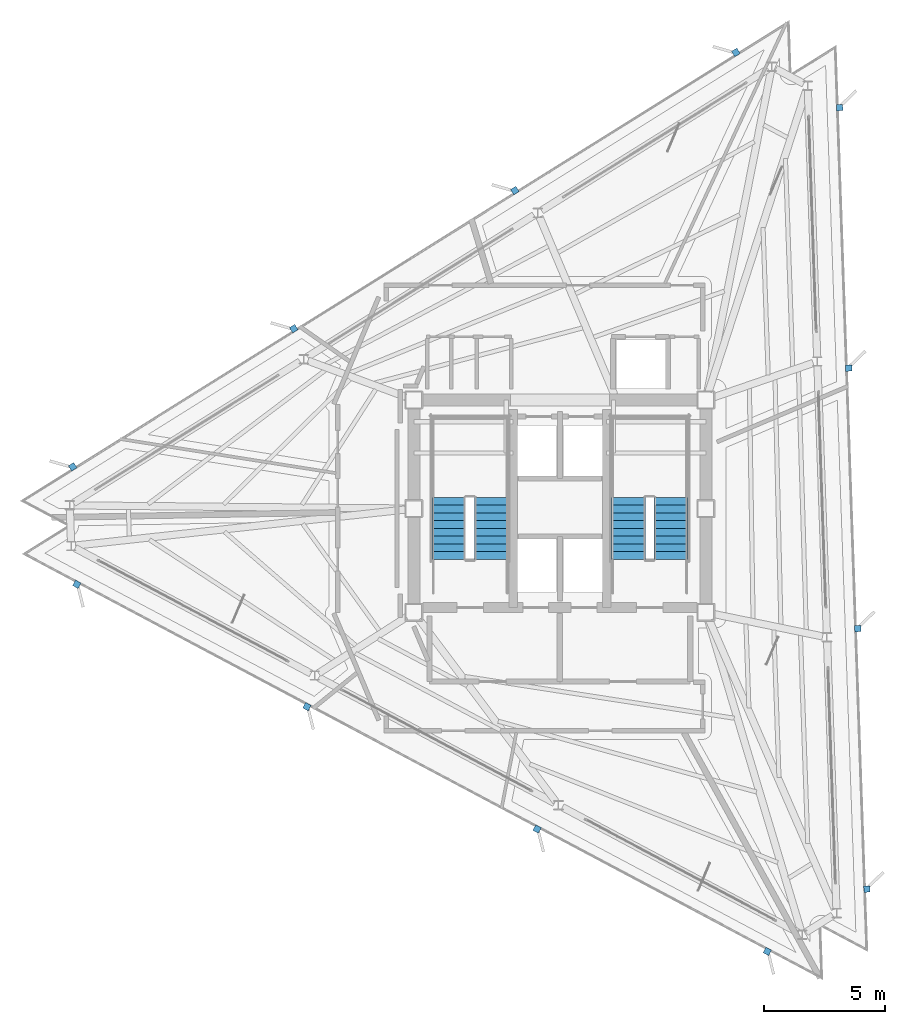
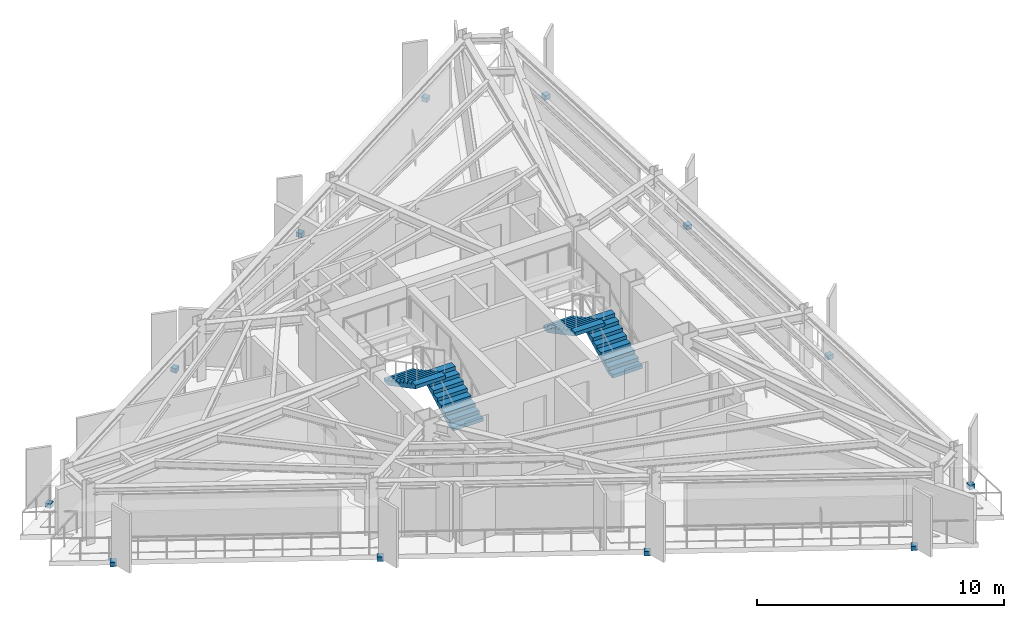
# One storey, part 10 of 13: 12 discrete accessories, 4 stair flights, 2 elements without a shape of their own.
"""IFC4 building model written with IfcOpenShell, lengths in metres."""

from ifc_helpers import new_model, si_unit, direction, frame, origin, origin_2d, place, context, subcontext, project, spatial, polyline, rectangle, outline, extrude, material, layer, layer_set, type_object, element, aggregate, save


model = new_model("IFC4")

# Units and contexts
model_context = context("Model", 3, precision=1e-05, world=origin(), true_north=direction((0.0, 1.0)))
body_context = subcontext(model_context, "Body", "Model", "MODEL_VIEW")
ifc_project = project(units=[si_unit("LENGTHUNIT", "METRE"), si_unit("AREAUNIT", "SQUARE_METRE"), si_unit("VOLUMEUNIT", "CUBIC_METRE"), si_unit("PLANEANGLEUNIT", "RADIAN"), si_unit("MASSUNIT", "GRAM", prefix="KILO")], contexts=[model_context])

# Site, building, storey
site_placement = place(None, origin())
site = spatial("IfcSite", under=ifc_project, at=site_placement, CompositionType="ELEMENT")
building_placement = place(site_placement, origin())
building = spatial("IfcBuilding", under=site, at=building_placement, Name="Rocaltana Carrier Exchange", CompositionType="ELEMENT")
storey_placement = place(building_placement, frame((0.0, 0.0, 199.679931640625)))
storey = spatial("IfcBuildingStorey", under=building, at=storey_placement, Name="L63", CompositionType="ELEMENT", Elevation=199.679931640625)

# Stair, stair flights
ifc_material_1 = material(Name="Precast concrete C45/55", Category="concrete")
stair_type = type_object("IfcStairType", Name="Standard Dog-Leg Stair 160", PredefinedType="HALF_TURN_STAIR", material=ifc_material_1)
stair_1_placement = place(storey_placement, origin())
stair_1 = element("IfcStair", 1, at=stair_1_placement, inside=storey, type_object=stair_type, Name="L63 Core West Exit Stair ST-1", PredefinedType="HALF_TURN_STAIR")
ifc_material_2 = material(Name="Precast concrete C45/55", Category="concrete")
stair_flight_type = type_object("IfcStairFlightType", Name="Precast Stair Flight 160", PredefinedType="STRAIGHT", material=ifc_material_2)
stair_flight_1_placement = place(storey_placement, frame((-2.840087890625, -2.10009765625, 0.0), z_axis=(0.0, 0.0, 1.0), x_axis=(0.0, 1.0, 0.0)))
stair_flight_1 = element("IfcStairFlight", 2, at=stair_flight_1_placement, type_object=stair_flight_type, Name="ST-1 flight 1", NumberOfRisers=9, NumberOfTreads=8, PredefinedType="STRAIGHT", RiserHeight=0.168888889, TreadLength=0.32, context=body_context, shape_type="SweptSolid", body=[
    extrude(outline(polyline([(0.0, 0.0), (0.0, 0.1689453125), (0.320068359375, 0.1689453125), (0.320068359375, 0.337890625), (0.639892578125, 0.337890625), (0.639892578125, 0.506591796875), (0.9599609375, 0.506591796875), (0.9599609375, 0.675537109375), (1.280029296875, 0.675537109375), (1.280029296875, 0.844482421875), (1.60009765625, 0.844482421875), (1.60009765625, 1.013427734375), (1.919921875, 1.013427734375), (1.919921875, 1.18212890625), (2.239990234375, 1.18212890625), (2.239990234375, 1.35107421875), (2.56005859375, 1.35107421875), (2.56005859375, 1.52001953125), (2.56005859375, 1.17041015625), (0.342529296875, 0.0), (0.0, 0.0)])), frame((0.0, 0.699951171875, 0.0), z_axis=(0.0, -1.0, 0.0), x_axis=(1.0, 0.0, 0.0)), (0.0, 0.0, 1.0), 1.39990234375),
])
stair_flight_2_placement = place(storey_placement, frame((-4.60009765625, 0.4599609375, 1.52001953125), z_axis=(0.0, 0.0, 1.0), x_axis=(0.0, -1.0, 0.0)))
stair_flight_2 = element("IfcStairFlight", 3, at=stair_flight_2_placement, type_object=stair_flight_type, Name="ST-1 flight 2", NumberOfRisers=9, NumberOfTreads=8, PredefinedType="STRAIGHT", RiserHeight=0.168888889, TreadLength=0.32, context=body_context, shape_type="SweptSolid", body=[
    extrude(outline(polyline([(0.0, 0.0), (0.0, 0.1689453125), (0.320068359375, 0.1689453125), (0.320068359375, 0.337890625), (0.639892578125, 0.337890625), (0.639892578125, 0.506591796875), (0.9599609375, 0.506591796875), (0.9599609375, 0.675537109375), (1.280029296875, 0.675537109375), (1.280029296875, 0.844482421875), (1.60009765625, 0.844482421875), (1.60009765625, 1.013427734375), (1.919921875, 1.013427734375), (1.919921875, 1.18212890625), (2.239990234375, 1.18212890625), (2.239990234375, 1.35107421875), (2.56005859375, 1.35107421875), (2.56005859375, 1.52001953125), (2.56005859375, 1.17041015625), (0.342529296875, 0.0), (0.0, 0.0)])), frame((0.0, 0.699951171875, 0.0), z_axis=(0.0, -1.0, 0.0), x_axis=(1.0, 0.0, 0.0)), (0.0, 0.0, 1.0), 1.39990234375),
])
aggregate(stair_1, [stair_flight_1, stair_flight_2])

stair_2_placement = place(storey_placement, origin())
stair_2 = element("IfcStair", 4, at=stair_2_placement, inside=storey, type_object=stair_type, Name="L63 Core East Exit Stair ST-2", PredefinedType="HALF_TURN_STAIR")
stair_flight_3_placement = place(storey_placement, frame((4.60009765625, -2.10009765625, 0.0), z_axis=(0.0, 0.0, 1.0), x_axis=(0.0, 1.0, 0.0)))
stair_flight_3 = element("IfcStairFlight", 5, at=stair_flight_3_placement, type_object=stair_flight_type, Name="ST-2 flight 1", NumberOfRisers=9, NumberOfTreads=8, PredefinedType="STRAIGHT", RiserHeight=0.168888889, TreadLength=0.32, context=body_context, shape_type="SweptSolid", body=[
    extrude(outline(polyline([(0.0, 0.0), (0.0, 0.1689453125), (0.320068359375, 0.1689453125), (0.320068359375, 0.337890625), (0.639892578125, 0.337890625), (0.639892578125, 0.506591796875), (0.9599609375, 0.506591796875), (0.9599609375, 0.675537109375), (1.280029296875, 0.675537109375), (1.280029296875, 0.844482421875), (1.60009765625, 0.844482421875), (1.60009765625, 1.013427734375), (1.919921875, 1.013427734375), (1.919921875, 1.18212890625), (2.239990234375, 1.18212890625), (2.239990234375, 1.35107421875), (2.56005859375, 1.35107421875), (2.56005859375, 1.52001953125), (2.56005859375, 1.17041015625), (0.342529296875, 0.0), (0.0, 0.0)])), frame((0.0, 0.699951171875, 0.0), z_axis=(0.0, -1.0, 0.0), x_axis=(1.0, 0.0, 0.0)), (0.0, 0.0, 1.0), 1.39990234375),
])
stair_flight_4_placement = place(storey_placement, frame((2.840087890625, 0.4599609375, 1.52001953125), z_axis=(0.0, 0.0, 1.0), x_axis=(0.0, -1.0, 0.0)))
stair_flight_4 = element("IfcStairFlight", 6, at=stair_flight_4_placement, type_object=stair_flight_type, Name="ST-2 flight 2", NumberOfRisers=9, NumberOfTreads=8, PredefinedType="STRAIGHT", RiserHeight=0.168888889, TreadLength=0.32, context=body_context, shape_type="SweptSolid", body=[
    extrude(outline(polyline([(0.0, 0.0), (0.0, 0.1689453125), (0.320068359375, 0.1689453125), (0.320068359375, 0.337890625), (0.639892578125, 0.337890625), (0.639892578125, 0.506591796875), (0.9599609375, 0.506591796875), (0.9599609375, 0.675537109375), (1.280029296875, 0.675537109375), (1.280029296875, 0.844482421875), (1.60009765625, 0.844482421875), (1.60009765625, 1.013427734375), (1.919921875, 1.013427734375), (1.919921875, 1.18212890625), (2.239990234375, 1.18212890625), (2.239990234375, 1.35107421875), (2.56005859375, 1.35107421875), (2.56005859375, 1.52001953125), (2.56005859375, 1.17041015625), (0.342529296875, 0.0), (0.0, 0.0)])), frame((0.0, 0.699951171875, 0.0), z_axis=(0.0, -1.0, 0.0), x_axis=(1.0, 0.0, 0.0)), (0.0, 0.0, 1.0), 1.39990234375),
])
aggregate(stair_2, [stair_flight_3, stair_flight_4])

# Discrete accessories
ifc_material_3 = material(Name="Brushed Architectural Stainless Metal", Category="steel")
ifc_layer = layer(ifc_material_3, 0.219970703125)
ifc_layer_set = layer_set([ifc_layer], Name="Brushed Architectural Stainless Metal")
discrete_accessory_type = type_object("IfcDiscreteAccessoryType", Name="Stainless Fin Slab-Edge Bracket 260x260x220", PredefinedType="BRACKET", material=ifc_layer_set)
for number, where, z_axis, x_axis, name in (
    (7, (12.722412109375, -15.765625, -0.2099609375), (0.0, 0.0, 1.0), (-0.034899496703, 0.999390827019, 0.0), "L63 Sandstone Fin Edge Bracket F1-01"),
    (8, (12.345458984375, -4.97216796875, -0.2099609375), (0.0, 0.0, 1.0), (-0.034899496703, 0.999390827019, 0.0), "L63 Sandstone Fin Edge Bracket F1-02"),
    (9, (11.968505859375, 5.8212890625, -0.2099609375), (0.0, 0.0, 1.0), (-0.034899496703, 0.999390827019, 0.0), "L63 Sandstone Fin Edge Bracket F1-03"),
    (10, (11.591552734375, 16.61474609375, -0.2099609375), (0.0, 0.0, 1.0), (-0.034899496703, 0.999390827019, 0.0), "L63 Sandstone Fin Edge Bracket F1-04"),
    (11, (7.292236328125, 18.900634765625, -0.2099609375), (0.0, 0.0, 1.0), (-0.848048096156, -0.529919264233, 0.0), "L63 Sandstone Fin Edge Bracket F2-01"),
    (12, (-1.86669921875, 13.177490234375, -0.2099609375), (0.0, 0.0, 1.0), (-0.848048096156, -0.529919264233, 0.0), "L63 Sandstone Fin Edge Bracket F2-02"),
    (13, (-11.025634765625, 7.454345703125, -0.2099609375), (0.0, 0.0, 1.0), (-0.848048096156, -0.529919264233, 0.0), "L63 Sandstone Fin Edge Bracket F2-03"),
    (14, (-20.1845703125, 1.731201171875, -0.2099609375), (0.0, 0.0, 1.0), (-0.848048096156, -0.529919264233, 0.0), "L63 Sandstone Fin Edge Bracket F2-04"),
    (15, (-20.0146484375, -3.135009765625, -0.2099609375), (0.0, 0.0, 1.0), (0.882947592859, -0.469471562786, 0.0), "L63 Sandstone Fin Edge Bracket F3-01"),
    (16, (-10.478759765625, -8.205322265625, -0.2099609375), (0.0, 0.0, 1.0), (0.882947592859, -0.469471562786, 0.0), "L63 Sandstone Fin Edge Bracket F3-02"),
    (17, (-0.94287109375, -13.275634765625, -0.2099609375), (0.0, 0.0, 1.0), (0.882947592859, -0.469471562786, 0.0), "L63 Sandstone Fin Edge Bracket F3-03"),
    (18, (8.593017578125, -18.345947265625, -0.2099609375), (0.0, 0.0, 1.0), (0.882947592859, -0.469471562786, 0.0), "L63 Sandstone Fin Edge Bracket F3-04"),
):
    element("IfcDiscreteAccessory", number, at=place(storey_placement, frame(where, z_axis=z_axis, x_axis=x_axis)), inside=storey, type_object=discrete_accessory_type, Name=name, PredefinedType="BRACKET", context=body_context, shape_type="SweptSolid", body=[
        extrude(rectangle(XDim=0.260009765625, YDim=0.260009765625, at=origin_2d()), origin(), (0.0, 0.0, 1.0), 0.219970703125),
    ])

save(model, "model.ifc")
